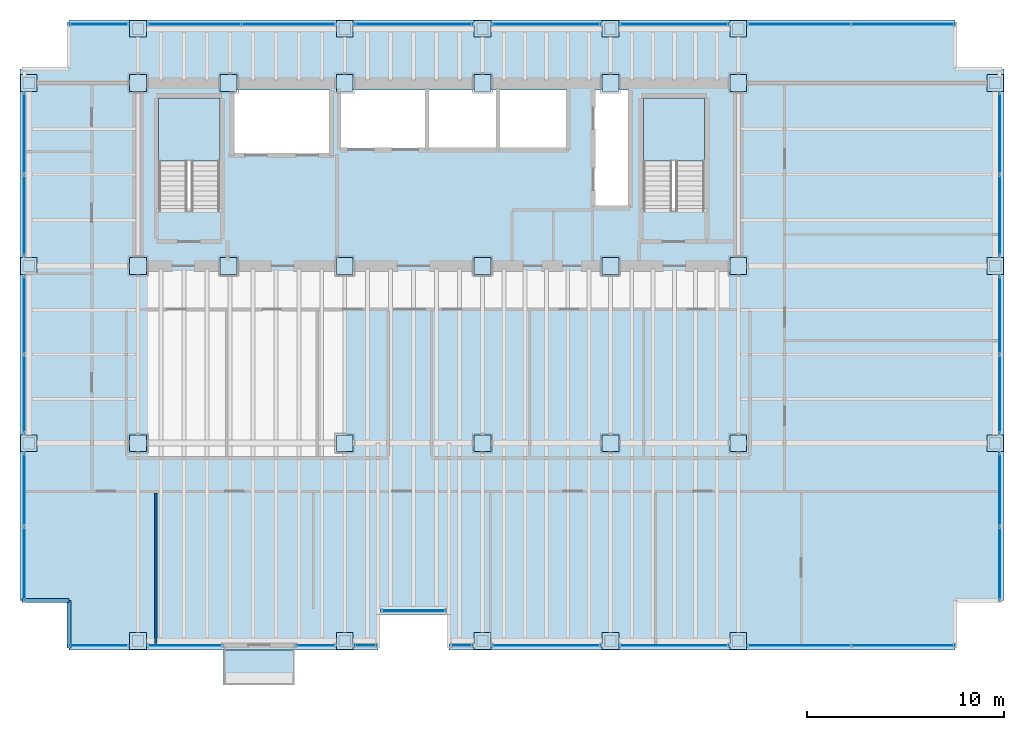
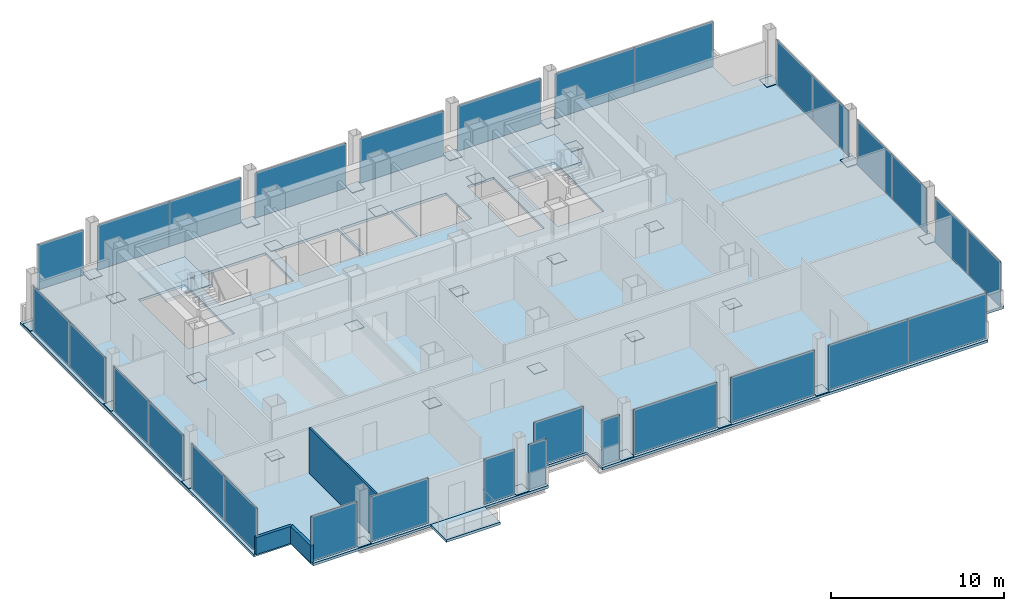
# One storey, part 17 of 21: 63 plates, 4 slabs, 3 walls, 7 openings, 23 elements without a shape of their own.
"""IFC4 building model written with IfcOpenShell, lengths in metres."""

from ifc_helpers import new_model, si_unit, direction, frame, frame_2d, origin, origin_2d, place, context, subcontext, project, spatial, polyline, rectangle, outline, extrude, material, layer, layer_set, type_object, element, aggregate, save


model = new_model("IFC4")

# Units and contexts
model_context = context("Model", 3, precision=1e-05, world=origin(), true_north=direction((0.0, 1.0)))
body_context = subcontext(model_context, "Body", "Model", "MODEL_VIEW")
ifc_project = project(units=[si_unit("LENGTHUNIT", "METRE"), si_unit("AREAUNIT", "SQUARE_METRE"), si_unit("VOLUMEUNIT", "CUBIC_METRE"), si_unit("PLANEANGLEUNIT", "RADIAN"), si_unit("MASSUNIT", "GRAM", prefix="KILO")], contexts=[model_context])

# Site, building, storey
site_placement = place(None, origin())
site = spatial("IfcSite", under=ifc_project, at=site_placement, CompositionType="ELEMENT")
building_placement = place(site_placement, origin())
building = spatial("IfcBuilding", under=site, at=building_placement, Name="Noeulbin Bourse Tower", CompositionType="ELEMENT")
storey_placement = place(building_placement, frame((0.0, 0.0, 92.800048828125)))
storey = spatial("IfcBuildingStorey", under=building, at=storey_placement, Name="L23", CompositionType="ELEMENT", Elevation=92.800048828125)

# Curtain wall, plate
ifc_material_1 = material(Name="Dark Solar-Control Double Glazing", Category="glass")
curtain_wall_type = type_object("IfcCurtainWallType", Name="CW-SYS-2", PredefinedType="NOTDEFINED", material=ifc_material_1)
curtain_wall_1_placement = place(storey_placement, origin())
curtain_wall_1 = element("IfcCurtainWall", 1, at=curtain_wall_1_placement, inside=storey, type_object=curtain_wall_type, Name="Unitised Curtain Wall CW-L23-SREC", PredefinedType="NOTDEFINED")
ifc_layer_1 = layer(ifc_material_1, 0.035888671875)
ifc_layer_set_1 = layer_set([ifc_layer_1], Name="Dark Solar-Control Double Glazing")
plate_type_1 = type_object("IfcPlateType", Name="CW-SYS-2-PNL", PredefinedType="CURTAIN_PANEL", material=ifc_layer_set_1)
plate_1_placement = place(storey_placement, frame((27.5, 11.47998046875, 0.0), z_axis=(0.0, 0.0, 1.0), x_axis=(1.0, 0.0, 0.0)))
plate_1 = element("IfcPlate", 2, at=plate_1_placement, type_object=plate_type_1, Name="Glazed Curtain Panel CW-L23-SREC-P00", PredefinedType="CURTAIN_PANEL", context=body_context, shape_type="SweptSolid", body=[
    extrude(rectangle(XDim=3.300048828125, YDim=0.035888671875, at=origin_2d()), origin(), (0.0, 0.0, 1.0), 3.179931640625),
])
aggregate(curtain_wall_1, [plate_1])

curtain_wall_2_placement = place(storey_placement, origin())
curtain_wall_2 = element("IfcCurtainWall", 3, at=curtain_wall_2_placement, inside=storey, type_object=curtain_wall_type, Name="Unitised Curtain Wall CW-L23-S1-S1", PredefinedType="NOTDEFINED")
plate_2_placement = place(storey_placement, frame((11.510009765625, 9.719970703125, 0.0), z_axis=(0.0, 0.0, 1.0), x_axis=(1.0, 0.0, 0.0)))
plate_2 = element("IfcPlate", 4, at=plate_2_placement, type_object=plate_type_1, Name="Glazed Curtain Panel CW-L23-S1-S1-P00", PredefinedType="CURTAIN_PANEL", context=body_context, shape_type="SweptSolid", body=[
    extrude(rectangle(XDim=3.06005859375, YDim=0.035888671875, at=origin_2d()), origin(), (0.0, 0.0, 1.0), 3.179931640625),
])
aggregate(curtain_wall_2, [plate_2])

curtain_wall_3_placement = place(storey_placement, origin())
curtain_wall_3 = element("IfcCurtainWall", 5, at=curtain_wall_3_placement, inside=storey, type_object=curtain_wall_type, Name="Unitised Curtain Wall CW-L23-S1-S2", PredefinedType="NOTDEFINED")
plate_3_placement = place(storey_placement, frame((15.8798828125, 9.719970703125, 0.0), z_axis=(0.0, 0.0, 1.0), x_axis=(1.0, 0.0, 0.0)))
plate_3 = element("IfcPlate", 6, at=plate_3_placement, type_object=plate_type_1, Name="Glazed Curtain Panel CW-L23-S1-S2-P00", PredefinedType="CURTAIN_PANEL", context=body_context, shape_type="SweptSolid", body=[
    extrude(rectangle(XDim=3.840087890625, YDim=0.035888671875, at=origin_2d()), origin(), (0.0, 0.0, 1.0), 3.179931640625),
])
aggregate(curtain_wall_3, [plate_3])

curtain_wall_4_placement = place(storey_placement, origin())
curtain_wall_4 = element("IfcCurtainWall", 7, at=curtain_wall_4_placement, inside=storey, type_object=curtain_wall_type, Name="Unitised Curtain Wall CW-L23-S2-S1", PredefinedType="NOTDEFINED")
plate_4_placement = place(storey_placement, frame((22.52001953125, 9.719970703125, 0.0), z_axis=(0.0, 0.0, 1.0), x_axis=(1.0, 0.0, 0.0)))
plate_4 = element("IfcPlate", 8, at=plate_4_placement, type_object=plate_type_1, Name="Glazed Curtain Panel CW-L23-S2-S1-P00", PredefinedType="CURTAIN_PANEL", context=body_context, shape_type="SweptSolid", body=[
    extrude(rectangle(XDim=2.0400390625, YDim=0.035888671875, at=origin_2d()), origin(), (0.0, 0.0, 1.0), 3.179931640625),
])
aggregate(curtain_wall_4, [plate_4])

curtain_wall_5_placement = place(storey_placement, origin())
curtain_wall_5 = element("IfcCurtainWall", 9, at=curtain_wall_5_placement, inside=storey, type_object=curtain_wall_type, Name="Unitised Curtain Wall CW-L23-S2-S2", PredefinedType="NOTDEFINED")
plate_5_placement = place(storey_placement, frame((25.054931640625, 9.719970703125, 0.0), z_axis=(0.0, 0.0, 1.0), x_axis=(1.0, 0.0, 0.0)))
plate_5 = element("IfcPlate", 10, at=plate_5_placement, type_object=plate_type_1, Name="Glazed Curtain Panel CW-L23-S2-S2-P00", PredefinedType="CURTAIN_PANEL", context=body_context, shape_type="SweptSolid", body=[
    extrude(rectangle(XDim=1.18994140625, YDim=0.035888671875, at=origin_2d()), origin(), (0.0, 0.0, 1.0), 3.179931640625),
])
aggregate(curtain_wall_5, [plate_5])

curtain_wall_6_placement = place(storey_placement, origin())
curtain_wall_6 = element("IfcCurtainWall", 11, at=curtain_wall_6_placement, inside=storey, type_object=curtain_wall_type, Name="Unitised Curtain Wall CW-L23-S3-S1", PredefinedType="NOTDEFINED")
plate_6_placement = place(storey_placement, frame((29.945068359375, 9.719970703125, 0.0), z_axis=(0.0, 0.0, 1.0), x_axis=(1.0, 0.0, 0.0)))
plate_6 = element("IfcPlate", 12, at=plate_6_placement, type_object=plate_type_1, Name="Glazed Curtain Panel CW-L23-S3-S1-P00", PredefinedType="CURTAIN_PANEL", context=body_context, shape_type="SweptSolid", body=[
    extrude(rectangle(XDim=1.18994140625, YDim=0.035888671875, at=origin_2d()), origin(), (0.0, 0.0, 1.0), 3.179931640625),
])
aggregate(curtain_wall_6, [plate_6])

curtain_wall_7_placement = place(storey_placement, origin())
curtain_wall_7 = element("IfcCurtainWall", 13, at=curtain_wall_7_placement, inside=storey, type_object=curtain_wall_type, Name="Unitised Curtain Wall CW-L23-S3-S2", PredefinedType="NOTDEFINED")
plate_7_placement = place(storey_placement, frame((34.25, 9.719970703125, 0.0), z_axis=(0.0, 0.0, 1.0), x_axis=(1.0, 0.0, 0.0)))
plate_7 = element("IfcPlate", 14, at=plate_7_placement, type_object=plate_type_1, Name="Glazed Curtain Panel CW-L23-S3-S2-P00", PredefinedType="CURTAIN_PANEL", context=body_context, shape_type="SweptSolid", body=[
    extrude(rectangle(XDim=5.580078125, YDim=0.035888671875, at=origin_2d()), origin(), (0.0, 0.0, 1.0), 3.179931640625),
])
aggregate(curtain_wall_7, [plate_7])

curtain_wall_8_placement = place(storey_placement, origin())
curtain_wall_8 = element("IfcCurtainWall", 15, at=curtain_wall_8_placement, inside=storey, type_object=curtain_wall_type, Name="Unitised Curtain Wall CW-L23-S3-S3", PredefinedType="NOTDEFINED")
plate_8_placement = place(storey_placement, frame((40.75, 9.719970703125, 0.0), z_axis=(0.0, 0.0, 1.0), x_axis=(1.0, 0.0, 0.0)))
plate_8 = element("IfcPlate", 16, at=plate_8_placement, type_object=plate_type_1, Name="Glazed Curtain Panel CW-L23-S3-S3-P00", PredefinedType="CURTAIN_PANEL", context=body_context, shape_type="SweptSolid", body=[
    extrude(rectangle(XDim=5.580078125, YDim=0.035888671875, at=origin_2d()), origin(), (0.0, 0.0, 1.0), 3.179931640625),
])
aggregate(curtain_wall_8, [plate_8])

# Curtain wall, plates
curtain_wall_9_placement = place(storey_placement, origin())
curtain_wall_9 = element("IfcCurtainWall", 17, at=curtain_wall_9_placement, inside=storey, type_object=curtain_wall_type, Name="Unitised Curtain Wall CW-L23-S3-S4", PredefinedType="NOTDEFINED")
plate_9_placement = place(storey_placement, frame((47.10009765625, 9.719970703125, 0.0), z_axis=(0.0, 0.0, 1.0), x_axis=(1.0, 0.0, 0.0)))
plate_9 = element("IfcPlate", 18, at=plate_9_placement, type_object=plate_type_1, Name="Glazed Curtain Panel CW-L23-S3-S4-P00", PredefinedType="CURTAIN_PANEL", context=body_context, shape_type="SweptSolid", body=[
    extrude(rectangle(XDim=5.280029296875, YDim=0.035888671875, at=origin_2d()), origin(), (0.0, 0.0, 1.0), 3.179931640625),
])
plate_10_placement = place(storey_placement, frame((52.3798828125, 9.719970703125, 0.0), z_axis=(0.0, 0.0, 1.0), x_axis=(1.0, 0.0, 0.0)))
plate_10 = element("IfcPlate", 19, at=plate_10_placement, type_object=plate_type_1, Name="Glazed Curtain Panel CW-L23-S3-S4-P01", PredefinedType="CURTAIN_PANEL", context=body_context, shape_type="SweptSolid", body=[
    extrude(rectangle(XDim=5.280029296875, YDim=0.035888671875, at=origin_2d()), origin(), (0.0, 0.0, 1.0), 3.179931640625),
])
aggregate(curtain_wall_9, [plate_9, plate_10])

# Curtain wall, plate
curtain_wall_10_placement = place(storey_placement, origin())
curtain_wall_10 = element("IfcCurtainWall", 20, at=curtain_wall_10_placement, inside=storey, type_object=curtain_wall_type, Name="Unitised Curtain Wall CW-L23-N-S1", PredefinedType="NOTDEFINED")
plate_11_placement = place(storey_placement, frame((11.510009765625, 41.280029296875, 0.0), z_axis=(0.0, 0.0, 1.0), x_axis=(1.0, 0.0, 0.0)))
plate_11 = element("IfcPlate", 21, at=plate_11_placement, type_object=plate_type_1, Name="Glazed Curtain Panel CW-L23-N-S1-P00", PredefinedType="CURTAIN_PANEL", context=body_context, shape_type="SweptSolid", body=[
    extrude(rectangle(XDim=3.06005859375, YDim=0.035888671875, at=origin_2d()), origin(), (0.0, 0.0, 1.0), 3.179931640625),
])
aggregate(curtain_wall_10, [plate_11])

# Curtain wall, plates
curtain_wall_11_placement = place(storey_placement, origin())
curtain_wall_11 = element("IfcCurtainWall", 22, at=curtain_wall_11_placement, inside=storey, type_object=curtain_wall_type, Name="Unitised Curtain Wall CW-L23-N-S2", PredefinedType="NOTDEFINED")
plate_12_placement = place(storey_placement, frame((16.35498046875, 41.280029296875, 0.0), z_axis=(0.0, 0.0, 1.0), x_axis=(1.0, 0.0, 0.0)))
plate_12 = element("IfcPlate", 23, at=plate_12_placement, type_object=plate_type_1, Name="Glazed Curtain Panel CW-L23-N-S2-P00", PredefinedType="CURTAIN_PANEL", context=body_context, shape_type="SweptSolid", body=[
    extrude(rectangle(XDim=4.7900390625, YDim=0.035888671875, at=origin_2d()), origin(), (0.0, 0.0, 1.0), 3.179931640625),
])
plate_13_placement = place(storey_placement, frame((21.14501953125, 41.280029296875, 0.0), z_axis=(0.0, 0.0, 1.0), x_axis=(1.0, 0.0, 0.0)))
plate_13 = element("IfcPlate", 24, at=plate_13_placement, type_object=plate_type_1, Name="Glazed Curtain Panel CW-L23-N-S2-P01", PredefinedType="CURTAIN_PANEL", context=body_context, shape_type="SweptSolid", body=[
    extrude(rectangle(XDim=4.7900390625, YDim=0.035888671875, at=origin_2d()), origin(), (0.0, 0.0, 1.0), 3.179931640625),
])
aggregate(curtain_wall_11, [plate_12, plate_13])

# Curtain wall, plate
curtain_wall_12_placement = place(storey_placement, origin())
curtain_wall_12 = element("IfcCurtainWall", 25, at=curtain_wall_12_placement, inside=storey, type_object=curtain_wall_type, Name="Unitised Curtain Wall CW-L23-N-S3", PredefinedType="NOTDEFINED")
plate_14_placement = place(storey_placement, frame((27.5, 41.280029296875, 0.0), z_axis=(0.0, 0.0, 1.0), x_axis=(1.0, 0.0, 0.0)))
plate_14 = element("IfcPlate", 26, at=plate_14_placement, type_object=plate_type_1, Name="Glazed Curtain Panel CW-L23-N-S3-P00", PredefinedType="CURTAIN_PANEL", context=body_context, shape_type="SweptSolid", body=[
    extrude(rectangle(XDim=6.080078125, YDim=0.035888671875, at=origin_2d()), origin(), (0.0, 0.0, 1.0), 3.179931640625),
])
aggregate(curtain_wall_12, [plate_14])

curtain_wall_13_placement = place(storey_placement, origin())
curtain_wall_13 = element("IfcCurtainWall", 27, at=curtain_wall_13_placement, inside=storey, type_object=curtain_wall_type, Name="Unitised Curtain Wall CW-L23-N-S4", PredefinedType="NOTDEFINED")
plate_15_placement = place(storey_placement, frame((34.25, 41.280029296875, 0.0), z_axis=(0.0, 0.0, 1.0), x_axis=(1.0, 0.0, 0.0)))
plate_15 = element("IfcPlate", 28, at=plate_15_placement, type_object=plate_type_1, Name="Glazed Curtain Panel CW-L23-N-S4-P00", PredefinedType="CURTAIN_PANEL", context=body_context, shape_type="SweptSolid", body=[
    extrude(rectangle(XDim=5.580078125, YDim=0.035888671875, at=origin_2d()), origin(), (0.0, 0.0, 1.0), 3.179931640625),
])
aggregate(curtain_wall_13, [plate_15])

curtain_wall_14_placement = place(storey_placement, origin())
curtain_wall_14 = element("IfcCurtainWall", 29, at=curtain_wall_14_placement, inside=storey, type_object=curtain_wall_type, Name="Unitised Curtain Wall CW-L23-N-S5", PredefinedType="NOTDEFINED")
plate_16_placement = place(storey_placement, frame((40.75, 41.280029296875, 0.0), z_axis=(0.0, 0.0, 1.0), x_axis=(1.0, 0.0, 0.0)))
plate_16 = element("IfcPlate", 30, at=plate_16_placement, type_object=plate_type_1, Name="Glazed Curtain Panel CW-L23-N-S5-P00", PredefinedType="CURTAIN_PANEL", context=body_context, shape_type="SweptSolid", body=[
    extrude(rectangle(XDim=5.580078125, YDim=0.035888671875, at=origin_2d()), origin(), (0.0, 0.0, 1.0), 3.179931640625),
])
aggregate(curtain_wall_14, [plate_16])

# Curtain wall, plates
curtain_wall_15_placement = place(storey_placement, origin())
curtain_wall_15 = element("IfcCurtainWall", 31, at=curtain_wall_15_placement, inside=storey, type_object=curtain_wall_type, Name="Unitised Curtain Wall CW-L23-N-S6", PredefinedType="NOTDEFINED")
plate_17_placement = place(storey_placement, frame((47.10009765625, 41.280029296875, 0.0), z_axis=(0.0, 0.0, 1.0), x_axis=(1.0, 0.0, 0.0)))
plate_17 = element("IfcPlate", 32, at=plate_17_placement, type_object=plate_type_1, Name="Glazed Curtain Panel CW-L23-N-S6-P00", PredefinedType="CURTAIN_PANEL", context=body_context, shape_type="SweptSolid", body=[
    extrude(rectangle(XDim=5.280029296875, YDim=0.035888671875, at=origin_2d()), origin(), (0.0, 0.0, 1.0), 3.179931640625),
])
plate_18_placement = place(storey_placement, frame((52.3798828125, 41.280029296875, 0.0), z_axis=(0.0, 0.0, 1.0), x_axis=(1.0, 0.0, 0.0)))
plate_18 = element("IfcPlate", 33, at=plate_18_placement, type_object=plate_type_1, Name="Glazed Curtain Panel CW-L23-N-S6-P01", PredefinedType="CURTAIN_PANEL", context=body_context, shape_type="SweptSolid", body=[
    extrude(rectangle(XDim=5.280029296875, YDim=0.035888671875, at=origin_2d()), origin(), (0.0, 0.0, 1.0), 3.179931640625),
])
aggregate(curtain_wall_15, [plate_17, plate_18])

curtain_wall_16_placement = place(storey_placement, origin())
curtain_wall_16 = element("IfcCurtainWall", 34, at=curtain_wall_16_placement, inside=storey, type_object=curtain_wall_type, Name="Unitised Curtain Wall CW-L23-W-S1", PredefinedType="NOTDEFINED")
plate_19_placement = place(storey_placement, frame((7.719970703125, 13.8701171875, 0.0), z_axis=(0.0, 0.0, 1.0), x_axis=(0.0, 1.0, 0.0)))
plate_19 = element("IfcPlate", 35, at=plate_19_placement, type_object=plate_type_1, Name="Glazed Curtain Panel CW-L23-W-S1-P00", PredefinedType="CURTAIN_PANEL", context=body_context, shape_type="SweptSolid", body=[
    extrude(rectangle(XDim=3.780029296875, YDim=0.035888671875, at=origin_2d()), origin(), (0.0, 0.0, 1.0), 3.179931640625),
])
plate_20_placement = place(storey_placement, frame((7.719970703125, 17.64990234375, 0.0), z_axis=(0.0, 0.0, 1.0), x_axis=(0.0, 1.0, 0.0)))
plate_20 = element("IfcPlate", 36, at=plate_20_placement, type_object=plate_type_1, Name="Glazed Curtain Panel CW-L23-W-S1-P01", PredefinedType="CURTAIN_PANEL", context=body_context, shape_type="SweptSolid", body=[
    extrude(rectangle(XDim=3.780029296875, YDim=0.035888671875, at=origin_2d()), origin(), (0.0, 0.0, 1.0), 3.179931640625),
])
aggregate(curtain_wall_16, [plate_19, plate_20])

curtain_wall_17_placement = place(storey_placement, origin())
curtain_wall_17 = element("IfcCurtainWall", 37, at=curtain_wall_17_placement, inside=storey, type_object=curtain_wall_type, Name="Unitised Curtain Wall CW-L23-W-S2", PredefinedType="NOTDEFINED")
plate_21_placement = place(storey_placement, frame((7.719970703125, 22.47998046875, 0.0), z_axis=(0.0, 0.0, 1.0), x_axis=(0.0, 1.0, 0.0)))
plate_21 = element("IfcPlate", 38, at=plate_21_placement, type_object=plate_type_1, Name="Glazed Curtain Panel CW-L23-W-S2-P00", PredefinedType="CURTAIN_PANEL", context=body_context, shape_type="SweptSolid", body=[
    extrude(rectangle(XDim=4.0400390625, YDim=0.035888671875, at=origin_2d()), origin(), (0.0, 0.0, 1.0), 3.179931640625),
])
plate_22_placement = place(storey_placement, frame((7.719970703125, 26.52001953125, 0.0), z_axis=(0.0, 0.0, 1.0), x_axis=(0.0, 1.0, 0.0)))
plate_22 = element("IfcPlate", 39, at=plate_22_placement, type_object=plate_type_1, Name="Glazed Curtain Panel CW-L23-W-S2-P01", PredefinedType="CURTAIN_PANEL", context=body_context, shape_type="SweptSolid", body=[
    extrude(rectangle(XDim=4.0400390625, YDim=0.035888671875, at=origin_2d()), origin(), (0.0, 0.0, 1.0), 3.179931640625),
])
aggregate(curtain_wall_17, [plate_21, plate_22])

curtain_wall_18_placement = place(storey_placement, origin())
curtain_wall_18 = element("IfcCurtainWall", 40, at=curtain_wall_18_placement, inside=storey, type_object=curtain_wall_type, Name="Unitised Curtain Wall CW-L23-W-S3", PredefinedType="NOTDEFINED")
plate_23_placement = place(storey_placement, frame((7.719970703125, 31.554931640625, 0.0), z_axis=(0.0, 0.0, 1.0), x_axis=(0.0, 1.0, 0.0)))
plate_23 = element("IfcPlate", 41, at=plate_23_placement, type_object=plate_type_1, Name="Glazed Curtain Panel CW-L23-W-S3-P00", PredefinedType="CURTAIN_PANEL", context=body_context, shape_type="SweptSolid", body=[
    extrude(rectangle(XDim=4.18994140625, YDim=0.035888671875, at=origin_2d()), origin(), (0.0, 0.0, 1.0), 3.179931640625),
])
plate_24_placement = place(storey_placement, frame((7.719970703125, 35.7451171875, 0.0), z_axis=(0.0, 0.0, 1.0), x_axis=(0.0, 1.0, 0.0)))
plate_24 = element("IfcPlate", 42, at=plate_24_placement, type_object=plate_type_1, Name="Glazed Curtain Panel CW-L23-W-S3-P01", PredefinedType="CURTAIN_PANEL", context=body_context, shape_type="SweptSolid", body=[
    extrude(rectangle(XDim=4.18994140625, YDim=0.035888671875, at=origin_2d()), origin(), (0.0, 0.0, 1.0), 3.179931640625),
])
aggregate(curtain_wall_18, [plate_23, plate_24])

curtain_wall_19_placement = place(storey_placement, origin())
curtain_wall_19 = element("IfcCurtainWall", 43, at=curtain_wall_19_placement, inside=storey, type_object=curtain_wall_type, Name="Unitised Curtain Wall CW-L23-E-S1", PredefinedType="NOTDEFINED")
plate_25_placement = place(storey_placement, frame((57.280029296875, 13.8701171875, 0.0), z_axis=(0.0, 0.0, 1.0), x_axis=(0.0, 1.0, 0.0)))
plate_25 = element("IfcPlate", 44, at=plate_25_placement, type_object=plate_type_1, Name="Glazed Curtain Panel CW-L23-E-S1-P00", PredefinedType="CURTAIN_PANEL", context=body_context, shape_type="SweptSolid", body=[
    extrude(rectangle(XDim=3.780029296875, YDim=0.035888671875, at=origin_2d()), origin(), (0.0, 0.0, 1.0), 3.179931640625),
])
plate_26_placement = place(storey_placement, frame((57.280029296875, 17.64990234375, 0.0), z_axis=(0.0, 0.0, 1.0), x_axis=(0.0, 1.0, 0.0)))
plate_26 = element("IfcPlate", 45, at=plate_26_placement, type_object=plate_type_1, Name="Glazed Curtain Panel CW-L23-E-S1-P01", PredefinedType="CURTAIN_PANEL", context=body_context, shape_type="SweptSolid", body=[
    extrude(rectangle(XDim=3.780029296875, YDim=0.035888671875, at=origin_2d()), origin(), (0.0, 0.0, 1.0), 3.179931640625),
])
aggregate(curtain_wall_19, [plate_25, plate_26])

curtain_wall_20_placement = place(storey_placement, origin())
curtain_wall_20 = element("IfcCurtainWall", 46, at=curtain_wall_20_placement, inside=storey, type_object=curtain_wall_type, Name="Unitised Curtain Wall CW-L23-E-S2", PredefinedType="NOTDEFINED")
plate_27_placement = place(storey_placement, frame((57.280029296875, 22.47998046875, 0.0), z_axis=(0.0, 0.0, 1.0), x_axis=(0.0, 1.0, 0.0)))
plate_27 = element("IfcPlate", 47, at=plate_27_placement, type_object=plate_type_1, Name="Glazed Curtain Panel CW-L23-E-S2-P00", PredefinedType="CURTAIN_PANEL", context=body_context, shape_type="SweptSolid", body=[
    extrude(rectangle(XDim=4.0400390625, YDim=0.035888671875, at=origin_2d()), origin(), (0.0, 0.0, 1.0), 3.179931640625),
])
plate_28_placement = place(storey_placement, frame((57.280029296875, 26.52001953125, 0.0), z_axis=(0.0, 0.0, 1.0), x_axis=(0.0, 1.0, 0.0)))
plate_28 = element("IfcPlate", 48, at=plate_28_placement, type_object=plate_type_1, Name="Glazed Curtain Panel CW-L23-E-S2-P01", PredefinedType="CURTAIN_PANEL", context=body_context, shape_type="SweptSolid", body=[
    extrude(rectangle(XDim=4.0400390625, YDim=0.035888671875, at=origin_2d()), origin(), (0.0, 0.0, 1.0), 3.179931640625),
])
aggregate(curtain_wall_20, [plate_27, plate_28])

curtain_wall_21_placement = place(storey_placement, origin())
curtain_wall_21 = element("IfcCurtainWall", 49, at=curtain_wall_21_placement, inside=storey, type_object=curtain_wall_type, Name="Unitised Curtain Wall CW-L23-E-S3", PredefinedType="NOTDEFINED")
plate_29_placement = place(storey_placement, frame((57.280029296875, 31.554931640625, 0.0), z_axis=(0.0, 0.0, 1.0), x_axis=(0.0, 1.0, 0.0)))
plate_29 = element("IfcPlate", 50, at=plate_29_placement, type_object=plate_type_1, Name="Glazed Curtain Panel CW-L23-E-S3-P00", PredefinedType="CURTAIN_PANEL", context=body_context, shape_type="SweptSolid", body=[
    extrude(rectangle(XDim=4.18994140625, YDim=0.035888671875, at=origin_2d()), origin(), (0.0, 0.0, 1.0), 3.179931640625),
])
plate_30_placement = place(storey_placement, frame((57.280029296875, 35.7451171875, 0.0), z_axis=(0.0, 0.0, 1.0), x_axis=(0.0, 1.0, 0.0)))
plate_30 = element("IfcPlate", 51, at=plate_30_placement, type_object=plate_type_1, Name="Glazed Curtain Panel CW-L23-E-S3-P01", PredefinedType="CURTAIN_PANEL", context=body_context, shape_type="SweptSolid", body=[
    extrude(rectangle(XDim=4.18994140625, YDim=0.035888671875, at=origin_2d()), origin(), (0.0, 0.0, 1.0), 3.179931640625),
])
aggregate(curtain_wall_21, [plate_29, plate_30])

# Plates
ifc_material_2 = material(Name="Steel S355", Category="steel")
ifc_layer_2 = layer(ifc_material_2, 0.030029296875)
ifc_layer_set_2 = layer_set([ifc_layer_2], Name="Steel S355")
plate_type_2 = type_object("IfcPlateType", Name="PLT-BN1", PredefinedType="USERDEFINED", material=ifc_layer_set_2)
for number, where, z_axis, x_axis, name in (
    (52, (13.5, 29.0, 0.0048828125), (0.0, 0.0, 1.0), (1.0, 0.0, 0.0), "Mega-Column Splice Plate BN1-L23-01"),
    (53, (13.5, 38.300048828125, 0.0048828125), (0.0, 0.0, 1.0), (1.0, 0.0, 0.0), "Mega-Column Splice Plate BN1-L23-02"),
    (54, (18.10009765625, 29.0, 0.0048828125), (0.0, 0.0, 1.0), (1.0, 0.0, 0.0), "Mega-Column Splice Plate BN1-L23-03"),
    (55, (18.10009765625, 38.300048828125, 0.0048828125), (0.0, 0.0, 1.0), (1.0, 0.0, 0.0), "Mega-Column Splice Plate BN1-L23-04"),
    (56, (24.0, 29.0, 0.0048828125), (0.0, 0.0, 1.0), (1.0, 0.0, 0.0), "Mega-Column Splice Plate BN1-L23-05"),
    (57, (24.0, 38.300048828125, 0.0048828125), (0.0, 0.0, 1.0), (1.0, 0.0, 0.0), "Mega-Column Splice Plate BN1-L23-06"),
    (58, (31.0, 29.0, 0.0048828125), (0.0, 0.0, 1.0), (1.0, 0.0, 0.0), "Mega-Column Splice Plate BN1-L23-07"),
    (59, (31.0, 38.300048828125, 0.0048828125), (0.0, 0.0, 1.0), (1.0, 0.0, 0.0), "Mega-Column Splice Plate BN1-L23-08"),
    (60, (37.5, 29.0, 0.0048828125), (0.0, 0.0, 1.0), (1.0, 0.0, 0.0), "Mega-Column Splice Plate BN1-L23-09"),
    (61, (37.5, 38.300048828125, 0.0048828125), (0.0, 0.0, 1.0), (1.0, 0.0, 0.0), "Mega-Column Splice Plate BN1-L23-10"),
    (62, (44.0, 29.0, 0.0048828125), (0.0, 0.0, 1.0), (1.0, 0.0, 0.0), "Mega-Column Splice Plate BN1-L23-11"),
    (63, (44.0, 38.300048828125, 0.0048828125), (0.0, 0.0, 1.0), (1.0, 0.0, 0.0), "Mega-Column Splice Plate BN1-L23-12"),
    (64, (13.5, 20.0, 0.0048828125), (0.0, 0.0, 1.0), (1.0, 0.0, 0.0), "Mega-Column Splice Plate BN1-L23-13"),
    (65, (24.0, 20.0, 0.0048828125), (0.0, 0.0, 1.0), (1.0, 0.0, 0.0), "Mega-Column Splice Plate BN1-L23-14"),
    (66, (31.0, 20.0, 0.0048828125), (0.0, 0.0, 1.0), (1.0, 0.0, 0.0), "Mega-Column Splice Plate BN1-L23-15"),
    (67, (37.5, 20.0, 0.0048828125), (0.0, 0.0, 1.0), (1.0, 0.0, 0.0), "Mega-Column Splice Plate BN1-L23-16"),
    (68, (44.0, 20.0, 0.0048828125), (0.0, 0.0, 1.0), (1.0, 0.0, 0.0), "Mega-Column Splice Plate BN1-L23-17"),
    (69, (7.949951171875, 20.0, 0.0048828125), (0.0, 0.0, 1.0), (1.0, 0.0, 0.0), "Perimeter Column Splice Plate BN1-L23-01"),
    (70, (7.949951171875, 29.0, 0.0048828125), (0.0, 0.0, 1.0), (1.0, 0.0, 0.0), "Perimeter Column Splice Plate BN1-L23-02"),
    (71, (7.949951171875, 38.300048828125, 0.0048828125), (0.0, 0.0, 1.0), (1.0, 0.0, 0.0), "Perimeter Column Splice Plate BN1-L23-03"),
    (72, (13.5, 9.949951171875, 0.0048828125), (0.0, 0.0, 1.0), (1.0, 0.0, 0.0), "Perimeter Column Splice Plate BN1-L23-04"),
    (73, (13.5, 41.050048828125, 0.0048828125), (0.0, 0.0, 1.0), (1.0, 0.0, 0.0), "Perimeter Column Splice Plate BN1-L23-05"),
    (74, (24.0, 9.949951171875, 0.0048828125), (0.0, 0.0, 1.0), (1.0, 0.0, 0.0), "Perimeter Column Splice Plate BN1-L23-06"),
    (75, (24.0, 41.050048828125, 0.0048828125), (0.0, 0.0, 1.0), (1.0, 0.0, 0.0), "Perimeter Column Splice Plate BN1-L23-07"),
    (76, (31.0, 9.949951171875, 0.0048828125), (0.0, 0.0, 1.0), (1.0, 0.0, 0.0), "Perimeter Column Splice Plate BN1-L23-08"),
    (77, (31.0, 41.050048828125, 0.0048828125), (0.0, 0.0, 1.0), (1.0, 0.0, 0.0), "Perimeter Column Splice Plate BN1-L23-09"),
    (78, (37.5, 9.949951171875, 0.0048828125), (0.0, 0.0, 1.0), (1.0, 0.0, 0.0), "Perimeter Column Splice Plate BN1-L23-10"),
    (79, (37.5, 41.050048828125, 0.0048828125), (0.0, 0.0, 1.0), (1.0, 0.0, 0.0), "Perimeter Column Splice Plate BN1-L23-11"),
    (80, (44.0, 9.949951171875, 0.0048828125), (0.0, 0.0, 1.0), (1.0, 0.0, 0.0), "Perimeter Column Splice Plate BN1-L23-12"),
    (81, (44.0, 41.050048828125, 0.0048828125), (0.0, 0.0, 1.0), (1.0, 0.0, 0.0), "Perimeter Column Splice Plate BN1-L23-13"),
    (82, (57.050048828125, 20.0, 0.0048828125), (0.0, 0.0, 1.0), (1.0, 0.0, 0.0), "Perimeter Column Splice Plate BN1-L23-14"),
    (83, (57.050048828125, 29.0, 0.0048828125), (0.0, 0.0, 1.0), (1.0, 0.0, 0.0), "Perimeter Column Splice Plate BN1-L23-15"),
    (84, (57.050048828125, 38.300048828125, 0.0048828125), (0.0, 0.0, 1.0), (1.0, 0.0, 0.0), "Perimeter Column Splice Plate BN1-L23-16"),
):
    element("IfcPlate", number, at=place(storey_placement, frame(where, z_axis=z_axis, x_axis=x_axis)), inside=storey, type_object=plate_type_2, Name=name, ObjectType="SPLICE PLATE", PredefinedType="USERDEFINED", context=body_context, shape_type="SweptSolid", body=[
        extrude(rectangle(XDim=0.85009765625, YDim=0.85009765625, at=origin_2d()), origin(), (0.0, 0.0, 1.0), 0.030029296875),
    ])

# Stair, slab
ifc_material_3 = material(Name="Concrete C40/50", Category="concrete")
stair_type = type_object("IfcStairType", Name="STR-CORE-1560", PredefinedType="HALF_TURN_STAIR", material=ifc_material_3)
stair_1_placement = place(storey_placement, origin())
stair_1 = element("IfcStair", 85, at=stair_1_placement, inside=storey, type_object=stair_type, Name="L23 ST-1", PredefinedType="HALF_TURN_STAIR")
ifc_layer_3 = layer(ifc_material_3, 0.199951171875)
ifc_layer_set_3 = layer_set([ifc_layer_3], Name="Concrete C40/50")
slab_type_1 = type_object("IfcSlabType", Name="SLB-LND-200", PredefinedType="LANDING", material=ifc_layer_set_3)
slab_1_placement = place(storey_placement, frame((0.0, 0.0, 1.75)))
slab_1 = element("IfcSlab", 86, at=slab_1_placement, type_object=slab_type_1, Name="ST-1 landing 1", PredefinedType="LANDING", context=body_context, shape_type="SweptSolid", body=[
    extrude(outline(polyline([(17.64990234375, 34.330078125), (17.64990234375, 37.5439453125), (14.550048828125, 37.5439453125), (14.550048828125, 34.330078125), (17.64990234375, 34.330078125)])), origin(), (0.0, 0.0, 1.0), 0.199951171875),
])
aggregate(stair_1, [slab_1])

stair_2_placement = place(storey_placement, origin())
stair_2 = element("IfcStair", 87, at=stair_2_placement, inside=storey, type_object=stair_type, Name="L23 ST-2", PredefinedType="HALF_TURN_STAIR")
slab_2_placement = place(storey_placement, frame((0.0, 0.0, 1.75)))
slab_2 = element("IfcSlab", 88, at=slab_2_placement, type_object=slab_type_1, Name="ST-2 landing 1", PredefinedType="LANDING", context=body_context, shape_type="SweptSolid", body=[
    extrude(outline(polyline([(42.280029296875, 34.330078125), (42.280029296875, 37.5439453125), (39.179931640625, 37.5439453125), (39.179931640625, 34.330078125), (42.280029296875, 34.330078125)])), origin(), (0.0, 0.0, 1.0), 0.199951171875),
])
aggregate(stair_2, [slab_2])

# Slab, openings
ifc_layer_4 = layer(ifc_material_3, 0.179931640625)
ifc_layer_set_4 = layer_set([ifc_layer_4], Name="Concrete C40/50")
slab_type_2 = type_object("IfcSlabType", Name="SLB-TYP-180", PredefinedType="FLOOR", material=ifc_layer_set_4)
slab_3_placement = place(storey_placement, frame((0.0, 0.0, -0.179931640625)))
slab_3 = element("IfcSlab", 89, at=slab_3_placement, inside=storey, type_object=slab_type_2, Name="Tower Structural Floor Slab L23", PredefinedType="FLOOR", context=body_context, shape_type="SweptSolid", body=[
    extrude(outline(polyline([(10.0, 9.5), (25.699951171875, 9.5), (25.699951171875, 11.300048828125), (29.300048828125, 11.300048828125), (29.300048828125, 9.5), (55.0, 9.5), (55.0, 12.0), (57.5, 12.0), (57.5, 39.0), (55.0, 39.0), (55.0, 41.5), (10.0, 41.5), (10.0, 39.0), (7.5, 39.0), (7.5, 12.0), (10.0, 12.0), (10.0, 9.5)]), holes=[polyline([(17.64990234375, 31.81005859375), (17.64990234375, 37.5439453125), (14.550048828125, 37.5439453125), (14.550048828125, 31.81005859375), (17.64990234375, 31.81005859375)]), polyline([(42.280029296875, 31.81005859375), (42.280029296875, 37.5439453125), (39.179931640625, 37.5439453125), (39.179931640625, 31.81005859375), (42.280029296875, 31.81005859375)]), polyline([(18.35009765625, 34.699951171875), (23.25, 34.699951171875), (23.25, 37.949951171875), (18.35009765625, 37.949951171875), (18.35009765625, 34.699951171875)]), polyline([(36.699951171875, 32.050048828125), (38.449951171875, 32.050048828125), (38.449951171875, 37.949951171875), (36.699951171875, 37.949951171875), (36.699951171875, 32.050048828125)]), polyline([(23.800048828125, 35.0), (28.10009765625, 35.0), (28.10009765625, 37.949951171875), (23.800048828125, 37.949951171875), (23.800048828125, 35.0)]), polyline([(28.25, 35.0), (31.699951171875, 35.0), (31.699951171875, 37.949951171875), (28.25, 37.949951171875), (28.25, 35.0)]), polyline([(31.85009765625, 35.0), (35.300048828125, 35.0), (35.300048828125, 37.949951171875), (31.85009765625, 37.949951171875), (31.85009765625, 35.0)])]), origin(), (0.0, 0.0, 1.0), 0.179931640625),
])
opening_1_placement = place(slab_3_placement, frame((0.0, 0.0, -0.010009765625)))
element("IfcOpeningElement", 90, at=opening_1_placement, cuts=slab_3, Name="Slab Shaft Opening SLB-L23-TWR-1", PredefinedType="OPENING", context=body_context, shape_type="SweptSolid", body=[
    extrude(outline(polyline([(17.64990234375, 31.81005859375), (17.64990234375, 37.5439453125), (14.550048828125, 37.5439453125), (14.550048828125, 31.81005859375), (17.64990234375, 31.81005859375)])), origin(), (0.0, 0.0, 1.0), 0.199951171875),
])
opening_2_placement = place(slab_3_placement, frame((0.0, 0.0, -0.010009765625)))
element("IfcOpeningElement", 91, at=opening_2_placement, cuts=slab_3, Name="Slab Shaft Opening SLB-L23-TWR-2", PredefinedType="OPENING", context=body_context, shape_type="SweptSolid", body=[
    extrude(outline(polyline([(42.280029296875, 31.81005859375), (42.280029296875, 37.5439453125), (39.179931640625, 37.5439453125), (39.179931640625, 31.81005859375), (42.280029296875, 31.81005859375)])), origin(), (0.0, 0.0, 1.0), 0.199951171875),
])
opening_3_placement = place(slab_3_placement, frame((0.0, 0.0, -0.010009765625)))
element("IfcOpeningElement", 92, at=opening_3_placement, cuts=slab_3, Name="Slab Shaft Opening SLB-L23-TWR-3", PredefinedType="OPENING", context=body_context, shape_type="SweptSolid", body=[
    extrude(outline(polyline([(18.35009765625, 34.699951171875), (23.25, 34.699951171875), (23.25, 37.949951171875), (18.35009765625, 37.949951171875), (18.35009765625, 34.699951171875)])), origin(), (0.0, 0.0, 1.0), 0.199951171875),
])
opening_4_placement = place(slab_3_placement, frame((0.0, 0.0, -0.010009765625)))
element("IfcOpeningElement", 93, at=opening_4_placement, cuts=slab_3, Name="Slab Shaft Opening SLB-L23-TWR-4", PredefinedType="OPENING", context=body_context, shape_type="SweptSolid", body=[
    extrude(outline(polyline([(36.699951171875, 32.050048828125), (38.449951171875, 32.050048828125), (38.449951171875, 37.949951171875), (36.699951171875, 37.949951171875), (36.699951171875, 32.050048828125)])), origin(), (0.0, 0.0, 1.0), 0.199951171875),
])
opening_5_placement = place(slab_3_placement, frame((0.0, 0.0, -0.010009765625)))
element("IfcOpeningElement", 94, at=opening_5_placement, cuts=slab_3, Name="Slab Shaft Opening SLB-L23-TWR-5", PredefinedType="OPENING", context=body_context, shape_type="SweptSolid", body=[
    extrude(outline(polyline([(23.800048828125, 35.0), (28.10009765625, 35.0), (28.10009765625, 37.949951171875), (23.800048828125, 37.949951171875), (23.800048828125, 35.0)])), origin(), (0.0, 0.0, 1.0), 0.199951171875),
])
opening_6_placement = place(slab_3_placement, frame((0.0, 0.0, -0.010009765625)))
element("IfcOpeningElement", 95, at=opening_6_placement, cuts=slab_3, Name="Slab Shaft Opening SLB-L23-TWR-6", PredefinedType="OPENING", context=body_context, shape_type="SweptSolid", body=[
    extrude(outline(polyline([(28.25, 35.0), (31.699951171875, 35.0), (31.699951171875, 37.949951171875), (28.25, 37.949951171875), (28.25, 35.0)])), origin(), (0.0, 0.0, 1.0), 0.199951171875),
])
opening_7_placement = place(slab_3_placement, frame((0.0, 0.0, -0.010009765625)))
element("IfcOpeningElement", 96, at=opening_7_placement, cuts=slab_3, Name="Slab Shaft Opening SLB-L23-TWR-7", PredefinedType="OPENING", context=body_context, shape_type="SweptSolid", body=[
    extrude(outline(polyline([(31.85009765625, 35.0), (35.300048828125, 35.0), (35.300048828125, 37.949951171875), (31.85009765625, 37.949951171875), (31.85009765625, 35.0)])), origin(), (0.0, 0.0, 1.0), 0.199951171875),
])

# Slab
slab_4_placement = place(storey_placement, frame((0.0, 0.0, -0.179931640625)))
element("IfcSlab", 97, at=slab_4_placement, inside=storey, type_object=slab_type_2, Name="Cantilevered Tree-Balcony Slab L23", PredefinedType="FLOOR", context=body_context, shape_type="SweptSolid", body=[
    extrude(outline(polyline([(17.85009765625, 7.699951171875), (21.449951171875, 7.699951171875), (21.449951171875, 9.5), (17.85009765625, 9.5), (17.85009765625, 7.699951171875)])), origin(), (0.0, 0.0, 1.0), 0.179931640625),
])

# Walls
ifc_layer_5 = layer(ifc_material_3, 0.199951171875)
ifc_layer_set_5 = layer_set([ifc_layer_5], Name="Concrete C40/50")
wall_type_1 = type_object("IfcWallType", Name="WAL-PAR-200", PredefinedType="PARAPET", material=ifc_layer_set_5)
for number, where, z_axis, x_axis, name in (
    (98, (7.60009765625, 12.0, 0.0), (0.0, 0.0, 1.0), (1.0, 0.0, 0.0), "Corner Notch Parapet L23-SW1"),
    (99, (10.0, 12.0, 0.0), (0.0, 0.0, 1.0), (0.0, -1.0, 0.0), "Corner Notch Parapet L23-SW2"),
):
    element("IfcWall", number, at=place(storey_placement, frame(where, z_axis=z_axis, x_axis=x_axis)), inside=storey, type_object=wall_type_1, Name=name, PredefinedType="PARAPET", context=body_context, shape_type="SweptSolid", body=[
        extrude(rectangle(XDim=2.39990234375, YDim=0.199951171875, at=frame_2d((1.199951171875, 0.0))), origin(), (0.0, 0.0, 1.0), 1.199951171875),
    ])
ifc_material_4 = material(Name="Steel Stud Gypsum Partition", Category="steel")
ifc_layer_6 = layer(ifc_material_4, 0.1201171875)
ifc_layer_set_6 = layer_set([ifc_layer_6], Name="Steel Stud Gypsum Partition")
wall_type_2 = type_object("IfcWallType", Name="WAL-PRT-120", PredefinedType="PARTITIONING", material=ifc_layer_set_6)
wall_placement = place(storey_placement, frame((14.39990234375, 9.81005859375, 0.0), z_axis=(0.0, 0.0, 1.0), x_axis=(0.0, 1.0, 0.0)))
element("IfcWall", 100, at=wall_placement, inside=storey, type_object=wall_type_2, Name="Interior Partition Wall L23-25", PredefinedType="PARTITIONING", context=body_context, shape_type="SweptSolid", body=[
    extrude(rectangle(XDim=7.655029296875, YDim=0.1201171875, at=frame_2d((3.82763671875, 0.0))), origin(), (0.0, 0.0, 1.0), 3.2119140625),
])

save(model, "model.ifc")
